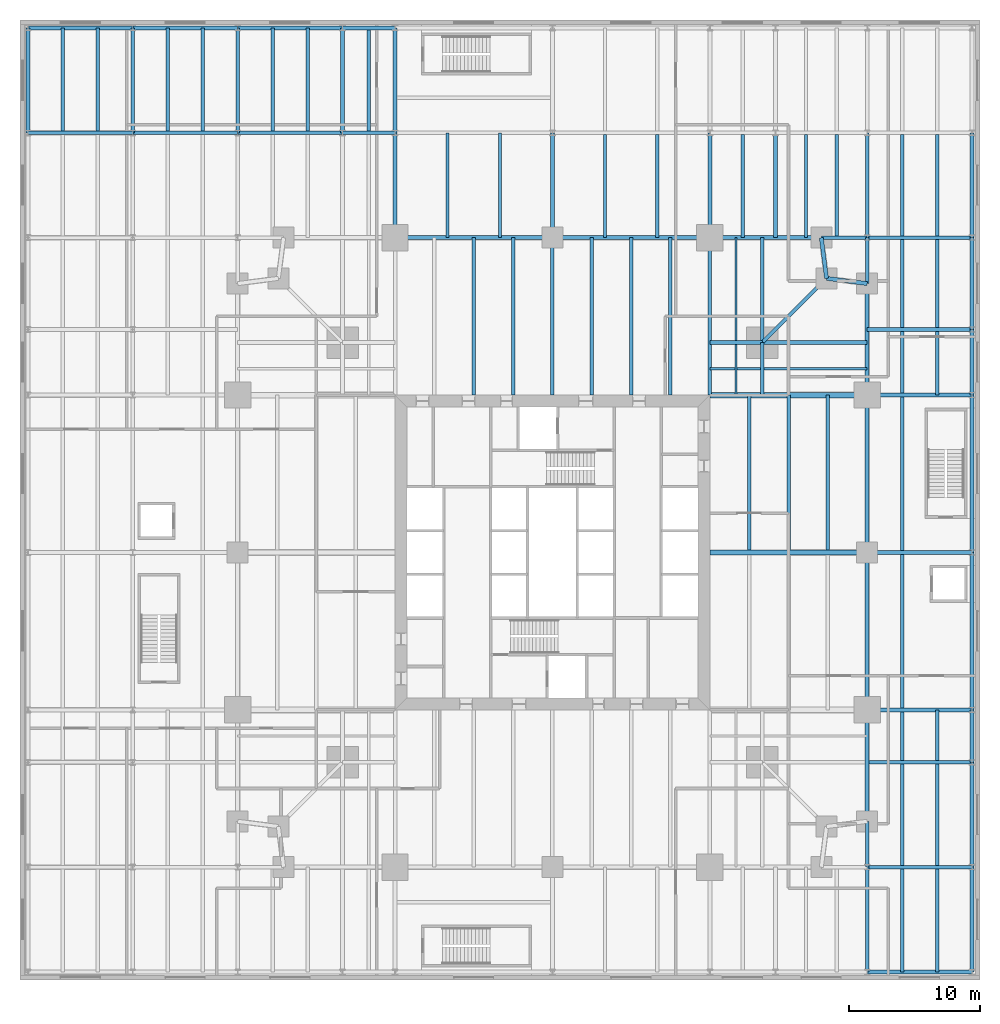
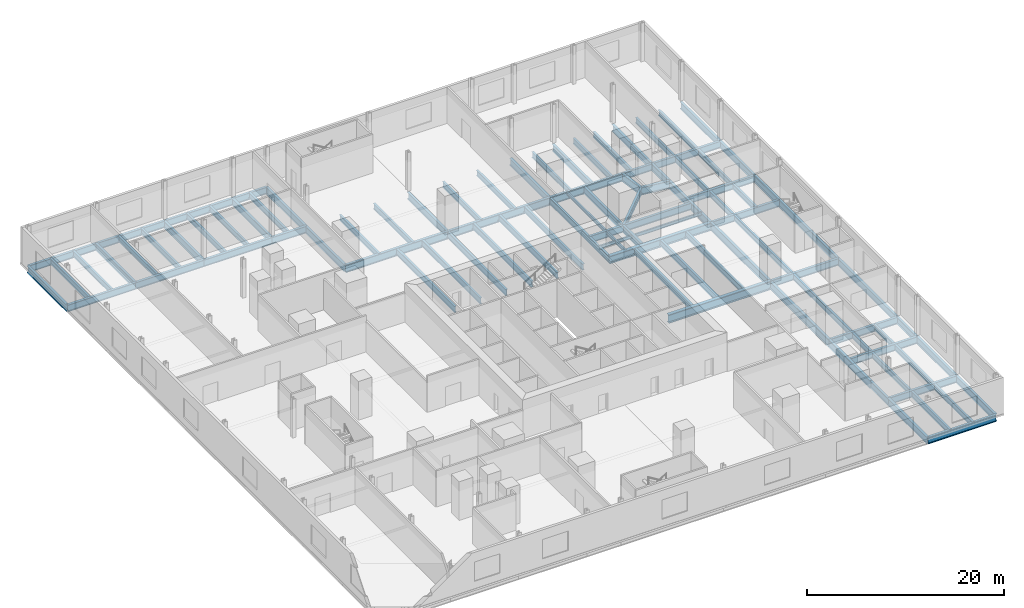
# One storey, part 7 of 16: 97 beams.
"""IFC4 building model written with IfcOpenShell, lengths in metres."""

from ifc_helpers import new_model, si_unit, direction, frame, origin, origin_2d, place, context, subcontext, project, spatial, i_section, extrude, material, material_profile, profile_set, type_object, element, save


model = new_model("IFC4")

# Units and contexts
model_context = context("Model", 3, precision=1e-05, world=origin(), true_north=direction((0.0, 1.0)))
body_context = subcontext(model_context, "Body", "Model", "MODEL_VIEW")
ifc_project = project(units=[si_unit("LENGTHUNIT", "METRE"), si_unit("AREAUNIT", "SQUARE_METRE"), si_unit("VOLUMEUNIT", "CUBIC_METRE"), si_unit("PLANEANGLEUNIT", "RADIAN"), si_unit("MASSUNIT", "GRAM", prefix="KILO")], contexts=[model_context])

# Site, building, storey
site_placement = place(None, origin())
site = spatial("IfcSite", under=ifc_project, at=site_placement, CompositionType="ELEMENT")
building_placement = place(site_placement, origin())
building = spatial("IfcBuilding", under=site, at=building_placement, Name="Fenwick Lantern Interchange", CompositionType="ELEMENT")
storey_placement = place(building_placement, frame((0.0, 0.0, 16.60009765625)))
storey = spatial("IfcBuildingStorey", under=building, at=storey_placement, Name="L03", CompositionType="ELEMENT", Elevation=16.60009765625)

# Beams
ifc_material = material(Name="Steel ASTM A992 Grade 50", Category="steel")
ifc_material_profile_1 = material_profile(ifc_material, i_section(OverallWidth=0.309814453125, OverallDepth=0.949951171875, WebThickness=0.0244140625, FlangeThickness=0.0439453125, at=origin_2d()), Name="W36X256")
ifc_profile_set_1 = profile_set([ifc_material_profile_1], Name="Steel ASTM A992 Grade 50")
beam_type_1 = type_object("IfcBeamType", Name="EDGE BEAM W36X256", PredefinedType="SPANDREL", material=ifc_profile_set_1)
beam_1_placement = place(storey_placement, frame((49.0, 4.5, -0.675048828125), z_axis=(0.0, 1.0, 0.0), x_axis=(-1.0, 0.0, 0.0)))
element("IfcBeam", 1, at=beam_1_placement, inside=storey, type_object=beam_type_1, Name="L03/FR/E/EB1", PredefinedType="SPANDREL", context=body_context, shape_type="SweptSolid", body=[
    extrude(i_section(OverallWidth=0.309814453125, OverallDepth=0.949951171875, WebThickness=0.0244140625, FlangeThickness=0.0439453125, at=origin_2d()), origin(), (0.0, 0.0, 1.0), 8.5),
])
for number, where, z_axis, x_axis, name in (
    (2, (49.0, 13.0, -0.675048828125), (0.0, 1.0, 0.0), (-1.0, 0.0, 0.0), "L03/FR/E/EB2"),
    (3, (49.0, 25.0, -0.675048828125), (0.0, 1.0, 0.0), (-1.0, 0.0, 0.0), "L03/FR/E/EB3"),
):
    element("IfcBeam", number, at=place(storey_placement, frame(where, z_axis=z_axis, x_axis=x_axis)), inside=storey, type_object=beam_type_1, Name=name, PredefinedType="SPANDREL", context=body_context, shape_type="SweptSolid", body=[
        extrude(i_section(OverallWidth=0.309814453125, OverallDepth=0.949951171875, WebThickness=0.0244140625, FlangeThickness=0.0439453125, at=origin_2d()), origin(), (0.0, 0.0, 1.0), 12.0),
    ])
beam_2_placement = place(storey_placement, frame((49.0, 37.0, -0.675048828125), z_axis=(0.0, 1.0, 0.0), x_axis=(-1.0, 0.0, 0.0)))
element("IfcBeam", 4, at=beam_2_placement, inside=storey, type_object=beam_type_1, Name="L03/FR/E/EB4", PredefinedType="SPANDREL", context=body_context, shape_type="SweptSolid", body=[
    extrude(i_section(OverallWidth=0.309814453125, OverallDepth=0.949951171875, WebThickness=0.0244140625, FlangeThickness=0.0439453125, at=origin_2d()), origin(), (0.0, 0.0, 1.0), 8.5),
])
for number, where, z_axis, x_axis, name in (
    (5, (49.0, 45.5, -0.675048828125), (-0.991782342897, 0.127936641807, 0.0), (-0.127936641807, -0.991782342897, 0.0), "L03/FR/E/EBR1"),
    (6, (45.89990234375, 45.89990234375, -0.675048828125), (-0.127936641807, 0.991782342897, 0.0), (-0.991782342897, -0.127936641807, 0.0), "L03/FR/E/EBR2"),
):
    element("IfcBeam", number, at=place(storey_placement, frame(where, z_axis=z_axis, x_axis=x_axis)), inside=storey, type_object=beam_type_1, Name=name, PredefinedType="SPANDREL", context=body_context, shape_type="SweptSolid", body=[
        extrude(i_section(OverallWidth=0.309814453125, OverallDepth=0.949951171875, WebThickness=0.0244140625, FlangeThickness=0.0439453125, at=origin_2d()), origin(), (0.0, 0.0, 1.0), 3.125732421875),
    ])
beam_3_placement = place(storey_placement, frame((45.5, 49.0, -0.675048828125), z_axis=(-1.0, 0.0, 0.0), x_axis=(0.0, -1.0, 0.0)))
element("IfcBeam", 7, at=beam_3_placement, inside=storey, type_object=beam_type_1, Name="L03/FR/N/EB1", PredefinedType="SPANDREL", context=body_context, shape_type="SweptSolid", body=[
    extrude(i_section(OverallWidth=0.309814453125, OverallDepth=0.949951171875, WebThickness=0.0244140625, FlangeThickness=0.0439453125, at=origin_2d()), origin(), (0.0, 0.0, 1.0), 8.5),
])
for number, where, z_axis, x_axis, name in (
    (8, (37.0, 49.0, -0.675048828125), (-1.0, 0.0, 0.0), (0.0, -1.0, 0.0), "L03/FR/N/EB2"),
    (9, (25.0, 49.0, -0.675048828125), (-1.0, 0.0, 0.0), (0.0, -1.0, 0.0), "L03/FR/N/EB3"),
):
    element("IfcBeam", number, at=place(storey_placement, frame(where, z_axis=z_axis, x_axis=x_axis)), inside=storey, type_object=beam_type_1, Name=name, PredefinedType="SPANDREL", context=body_context, shape_type="SweptSolid", body=[
        extrude(i_section(OverallWidth=0.309814453125, OverallDepth=0.949951171875, WebThickness=0.0244140625, FlangeThickness=0.0439453125, at=origin_2d()), origin(), (0.0, 0.0, 1.0), 12.0),
    ])
ifc_material_profile_2 = material_profile(ifc_material, i_section(OverallWidth=0.2666015625, OverallDepth=0.7568359375, WebThickness=0.013916015625, FlangeThickness=0.019287109375, at=origin_2d()), Name="W30X108")
ifc_profile_set_2 = profile_set([ifc_material_profile_2], Name="Steel ASTM A992 Grade 50")
beam_type_2 = type_object("IfcBeamType", Name="FLOOR BEAM W30X108", PredefinedType="BEAM", material=ifc_profile_set_2)
for number, where, z_axis, x_axis, name in (
    (10, (46.0, 25.20458984375, -0.57861328125), (0.0, 1.0, 0.0), (-1.0, 0.0, 0.0), "L03/FR/E/B04"),
    (11, (43.0, 25.20458984375, -0.57861328125), (0.0, 1.0, 0.0), (-1.0, 0.0, 0.0), "L03/FR/E/B05"),
    (12, (40.0, 25.20458984375, -0.57861328125), (0.0, 1.0, 0.0), (-1.0, 0.0, 0.0), "L03/FR/E/B06"),
):
    element("IfcBeam", number, at=place(storey_placement, frame(where, z_axis=z_axis, x_axis=x_axis)), inside=storey, type_object=beam_type_2, Name=name, PredefinedType="BEAM", context=body_context, shape_type="SweptSolid", body=[
        extrude(i_section(OverallWidth=0.2666015625, OverallDepth=0.7568359375, WebThickness=0.013916015625, FlangeThickness=0.019287109375, at=origin_2d()), origin(), (0.0, 0.0, 1.0), 11.79541015625),
    ])
for number, where, z_axis, x_axis, name in (
    (13, (34.0, 49.0, -0.57861328125), (0.0, -1.0, 0.0), (1.0, 0.0, 0.0), "L03/FR/N/R02"),
    (14, (31.0, 49.0, -0.57861328125), (0.0, -1.0, 0.0), (1.0, 0.0, 0.0), "L03/FR/N/R03"),
    (15, (28.0, 49.0, -0.57861328125), (0.0, -1.0, 0.0), (1.0, 0.0, 0.0), "L03/FR/N/R04"),
    (16, (22.0, 49.0, -0.57861328125), (0.0, -1.0, 0.0), (1.0, 0.0, 0.0), "L03/FR/N/R06"),
    (17, (19.0, 49.0, -0.57861328125), (0.0, -1.0, 0.0), (1.0, 0.0, 0.0), "L03/FR/N/R07"),
):
    element("IfcBeam", number, at=place(storey_placement, frame(where, z_axis=z_axis, x_axis=x_axis)), inside=storey, type_object=beam_type_2, Name=name, PredefinedType="BEAM", context=body_context, shape_type="SweptSolid", body=[
        extrude(i_section(OverallWidth=0.2666015625, OverallDepth=0.7568359375, WebThickness=0.013916015625, FlangeThickness=0.019287109375, at=origin_2d()), origin(), (0.0, 0.0, 1.0), 12.0),
    ])
ifc_material_profile_3 = material_profile(ifc_material, i_section(OverallWidth=0.177734375, OverallDepth=0.406494140625, WebThickness=0.0078125, FlangeThickness=0.012939453125, at=origin_2d()), Name="W16X40")
ifc_profile_set_3 = profile_set([ifc_material_profile_3], Name="Steel ASTM A992 Grade 50")
beam_type_3 = type_object("IfcBeamType", Name="INFILL BEAM W16X40", PredefinedType="JOIST", material=ifc_profile_set_3)
beam_4_placement = place(storey_placement, frame((39.0, 49.0, -0.4033203125), z_axis=(0.0, -1.0, 0.0), x_axis=(1.0, 0.0, 0.0)))
element("IfcBeam", 18, at=beam_4_placement, inside=storey, type_object=beam_type_3, Name="L03/FR/N/J1", PredefinedType="JOIST", context=body_context, shape_type="SweptSolid", body=[
    extrude(i_section(OverallWidth=0.177734375, OverallDepth=0.406494140625, WebThickness=0.0078125, FlangeThickness=0.012939453125, at=origin_2d()), origin(), (0.0, 0.0, 1.0), 7.85400390625),
])
beam_5_placement = place(storey_placement, frame((39.0, 40.85400390625, -0.4033203125), z_axis=(0.0, -1.0, 0.0), x_axis=(1.0, 0.0, 0.0)))
element("IfcBeam", 19, at=beam_5_placement, inside=storey, type_object=beam_type_3, Name="L03/FR/N/J2", PredefinedType="JOIST", context=body_context, shape_type="SweptSolid", body=[
    extrude(i_section(OverallWidth=0.177734375, OverallDepth=0.406494140625, WebThickness=0.0078125, FlangeThickness=0.012939453125, at=origin_2d()), origin(), (0.0, 0.0, 1.0), 3.85400390625),
])
beam_6_placement = place(storey_placement, frame((49.0, 39.0, -0.4033203125), z_axis=(-1.0, 0.0, 0.0), x_axis=(0.0, -1.0, 0.0)))
element("IfcBeam", 20, at=beam_6_placement, inside=storey, type_object=beam_type_3, Name="L03/FR/N/J3", PredefinedType="JOIST", context=body_context, shape_type="SweptSolid", body=[
    extrude(i_section(OverallWidth=0.177734375, OverallDepth=0.406494140625, WebThickness=0.0078125, FlangeThickness=0.012939453125, at=origin_2d()), origin(), (0.0, 0.0, 1.0), 7.85400390625),
])
beam_7_placement = place(storey_placement, frame((40.85400390625, 39.0, -0.4033203125), z_axis=(-1.0, 0.0, 0.0), x_axis=(0.0, -1.0, 0.0)))
element("IfcBeam", 21, at=beam_7_placement, inside=storey, type_object=beam_type_3, Name="L03/FR/N/J4", PredefinedType="JOIST", context=body_context, shape_type="SweptSolid", body=[
    extrude(i_section(OverallWidth=0.177734375, OverallDepth=0.406494140625, WebThickness=0.0078125, FlangeThickness=0.012939453125, at=origin_2d()), origin(), (0.0, 0.0, 1.0), 1.76513671875),
])
beam_8_placement = place(storey_placement, frame((38.9111328125, 39.0, -0.4033203125), z_axis=(-1.0, 0.0, 0.0), x_axis=(0.0, -1.0, 0.0)))
element("IfcBeam", 22, at=beam_8_placement, inside=storey, type_object=beam_type_3, Name="L03/FR/N/J5", PredefinedType="JOIST", context=body_context, shape_type="SweptSolid", body=[
    extrude(i_section(OverallWidth=0.177734375, OverallDepth=0.406494140625, WebThickness=0.0078125, FlangeThickness=0.012939453125, at=origin_2d()), origin(), (0.0, 0.0, 1.0), 1.9111328125),
])
ifc_material_profile_4 = material_profile(ifc_material, i_section(OverallWidth=0.2919921875, OverallDepth=0.845703125, WebThickness=0.015380859375, FlangeThickness=0.0244140625, at=origin_2d()), Name="W33X141")
ifc_profile_set_4 = profile_set([ifc_material_profile_4], Name="Steel ASTM A992 Grade 50")
beam_type_4 = type_object("IfcBeamType", Name="MEGA COLUMN BEAM W33X141", PredefinedType="BEAM", material=ifc_profile_set_4)
for number, where, z_axis, x_axis, name in (
    (23, (41.0, 41.0, -0.623046875), (0.0, 1.0, 0.0), (-1.0, 0.0, 0.0), "L03/FR/N/MB1"),
    (24, (41.0, 41.0, -0.623046875), (1.0, 0.0, 0.0), (0.0, 1.0, 0.0), "L03/FR/N/MB2"),
):
    element("IfcBeam", number, at=place(storey_placement, frame(where, z_axis=z_axis, x_axis=x_axis)), inside=storey, type_object=beam_type_4, Name=name, PredefinedType="BEAM", context=body_context, shape_type="SweptSolid", body=[
        extrude(i_section(OverallWidth=0.2919921875, OverallDepth=0.845703125, WebThickness=0.015380859375, FlangeThickness=0.0244140625, at=origin_2d()), origin(), (0.0, 0.0, 1.0), 8.0),
    ])
for number, where, z_axis, x_axis, name in (
    (25, (41.0, 41.0, -0.623046875), (-1.0, 0.0, 0.0), (0.0, -1.0, 0.0), "L03/FR/N/MB3"),
    (26, (41.0, 41.0, -0.623046875), (0.0, -1.0, 0.0), (1.0, 0.0, 0.0), "L03/FR/N/MB4"),
):
    element("IfcBeam", number, at=place(storey_placement, frame(where, z_axis=z_axis, x_axis=x_axis)), inside=storey, type_object=beam_type_4, Name=name, PredefinedType="BEAM", context=body_context, shape_type="SweptSolid", body=[
        extrude(i_section(OverallWidth=0.2919921875, OverallDepth=0.845703125, WebThickness=0.015380859375, FlangeThickness=0.0244140625, at=origin_2d()), origin(), (0.0, 0.0, 1.0), 4.0),
    ])
ifc_material_profile_5 = material_profile(ifc_material, i_section(OverallWidth=0.2666015625, OverallDepth=0.76953125, WebThickness=0.015625, FlangeThickness=0.025390625, at=origin_2d()), Name="W30X132")
ifc_profile_set_5 = profile_set([ifc_material_profile_5], Name="Steel ASTM A992 Grade 50")
beam_type_5 = type_object("IfcBeamType", Name="MOMENT-CONNECTED GIRDER W30X132", PredefinedType="BEAM", material=ifc_profile_set_5)
for number, where, z_axis, x_axis, name in (
    (27, (37.0, 49.0, -0.5849609375), (0.0, -1.0, 0.0), (1.0, 0.0, 0.0), "L03/FR/N/R01"),
    (28, (25.0, 49.0, -0.5849609375), (0.0, -1.0, 0.0), (1.0, 0.0, 0.0), "L03/FR/N/R05"),
):
    element("IfcBeam", number, at=place(storey_placement, frame(where, z_axis=z_axis, x_axis=x_axis)), inside=storey, type_object=beam_type_5, Name=name, PredefinedType="BEAM", context=body_context, shape_type="SweptSolid", body=[
        extrude(i_section(OverallWidth=0.2666015625, OverallDepth=0.76953125, WebThickness=0.015625, FlangeThickness=0.025390625, at=origin_2d()), origin(), (0.0, 0.0, 1.0), 12.0),
    ])
ifc_material_profile_6 = material_profile(ifc_material, i_section(OverallWidth=0.424072265625, OverallDepth=0.947509765625, WebThickness=0.02392578125, FlangeThickness=0.042724609375, at=origin_2d()), Name="W36X302")
ifc_profile_set_6 = profile_set([ifc_material_profile_6], Name="Steel ASTM A992 Grade 50")
beam_type_6 = type_object("IfcBeamType", Name="MOMENT-CONNECTED GIRDER W36X302", PredefinedType="BEAM", material=ifc_profile_set_6)
beam_9_placement = place(storey_placement, frame((49.0, 37.0, -0.673828125), z_axis=(-1.0, 0.0, 0.0), x_axis=(0.0, -1.0, 0.0)))
element("IfcBeam", 29, at=beam_9_placement, inside=storey, type_object=beam_type_6, Name="L03/FR/E/R03", PredefinedType="BEAM", context=body_context, shape_type="SweptSolid", body=[
    extrude(i_section(OverallWidth=0.424072265625, OverallDepth=0.947509765625, WebThickness=0.02392578125, FlangeThickness=0.042724609375, at=origin_2d()), origin(), (0.0, 0.0, 1.0), 12.0),
])
ifc_material_profile_7 = material_profile(ifc_material, i_section(OverallWidth=0.408935546875, OverallDepth=1.04150390625, WebThickness=0.031005859375, FlangeThickness=0.055908203125, at=origin_2d()), Name="W40X397")
ifc_profile_set_7 = profile_set([ifc_material_profile_7], Name="Steel ASTM A992 Grade 50")
beam_type_7 = type_object("IfcBeamType", Name="MOMENT-CONNECTED GIRDER W40X397", PredefinedType="BEAM", material=ifc_profile_set_7)
beam_10_placement = place(storey_placement, frame((49.0, 25.0, -0.720703125), z_axis=(-1.0, 0.0, 0.0), x_axis=(0.0, -1.0, 0.0)))
element("IfcBeam", 30, at=beam_10_placement, inside=storey, type_object=beam_type_7, Name="L03/FR/E/R02", PredefinedType="BEAM", context=body_context, shape_type="SweptSolid", body=[
    extrude(i_section(OverallWidth=0.408935546875, OverallDepth=1.04150390625, WebThickness=0.031005859375, FlangeThickness=0.055908203125, at=origin_2d()), origin(), (0.0, 0.0, 1.0), 12.0),
])
ifc_material_profile_8 = material_profile(ifc_material, i_section(OverallWidth=0.2919921875, OverallDepth=0.845703125, WebThickness=0.015380859375, FlangeThickness=0.0244140625, at=origin_2d()), Name="W33X141")
ifc_profile_set_8 = profile_set([ifc_material_profile_8], Name="Steel ASTM A992 Grade 50")
beam_type_8 = type_object("IfcBeamType", Name="MOMENT-CONNECTED PODIUM GIRDER W33X141", PredefinedType="BEAM", material=ifc_profile_set_8)
for number, where, z_axis, x_axis, name in (
    (31, (49.0, -7.0, -0.623046875), (1.0, 0.0, 0.0), (0.0, 1.0, 0.0), "L03/PF/G009"),
    (32, (49.0, 1.0, -0.623046875), (1.0, 0.0, 0.0), (0.0, 1.0, 0.0), "L03/PF/G014"),
):
    element("IfcBeam", number, at=place(storey_placement, frame(where, z_axis=z_axis, x_axis=x_axis)), inside=storey, type_object=beam_type_8, Name=name, PredefinedType="BEAM", context=body_context, shape_type="SweptSolid", body=[
        extrude(i_section(OverallWidth=0.2919921875, OverallDepth=0.845703125, WebThickness=0.015380859375, FlangeThickness=0.0244140625, at=origin_2d()), origin(), (0.0, 0.0, 1.0), 8.0),
    ])
beam_11_placement = place(storey_placement, frame((49.155029296875, 9.0, -0.623046875), z_axis=(1.0, 0.0, 0.0), x_axis=(0.0, 1.0, 0.0)))
element("IfcBeam", 33, at=beam_11_placement, inside=storey, type_object=beam_type_8, Name="L03/PF/G017", PredefinedType="BEAM", context=body_context, shape_type="SweptSolid", body=[
    extrude(i_section(OverallWidth=0.2919921875, OverallDepth=0.845703125, WebThickness=0.015380859375, FlangeThickness=0.0244140625, at=origin_2d()), origin(), (0.0, 0.0, 1.0), 7.844970703125),
])
for number, where, z_axis, x_axis, name in (
    (34, (49.0, 13.0, -0.623046875), (1.0, 0.0, 0.0), (0.0, 1.0, 0.0), "L03/PF/G020"),
    (35, (49.0, 25.0, -0.623046875), (1.0, 0.0, 0.0), (0.0, 1.0, 0.0), "L03/PF/G023"),
    (36, (49.0, 37.0, -0.623046875), (1.0, 0.0, 0.0), (0.0, 1.0, 0.0), "L03/PF/G026"),
    (37, (49.0, 42.0, -0.623046875), (1.0, 0.0, 0.0), (0.0, 1.0, 0.0), "L03/PF/G029"),
):
    element("IfcBeam", number, at=place(storey_placement, frame(where, z_axis=z_axis, x_axis=x_axis)), inside=storey, type_object=beam_type_8, Name=name, PredefinedType="BEAM", context=body_context, shape_type="SweptSolid", body=[
        extrude(i_section(OverallWidth=0.2919921875, OverallDepth=0.845703125, WebThickness=0.015380859375, FlangeThickness=0.0244140625, at=origin_2d()), origin(), (0.0, 0.0, 1.0), 8.0),
    ])
beam_12_placement = place(storey_placement, frame((45.5, 49.0, -0.623046875), z_axis=(1.0, 0.0, 0.0), x_axis=(0.0, 1.0, 0.0)))
element("IfcBeam", 38, at=beam_12_placement, inside=storey, type_object=beam_type_8, Name="L03/PF/G033", PredefinedType="BEAM", context=body_context, shape_type="SweptSolid", body=[
    extrude(i_section(OverallWidth=0.2919921875, OverallDepth=0.845703125, WebThickness=0.015380859375, FlangeThickness=0.0244140625, at=origin_2d()), origin(), (0.0, 0.0, 1.0), 3.5),
])
for number, where, z_axis, x_axis, name in (
    (39, (49.0, 49.0, -0.623046875), (1.0, 0.0, 0.0), (0.0, 1.0, 0.0), "L03/PF/G034"),
    (40, (-15.0, 57.0, -0.623046875), (1.0, 0.0, 0.0), (0.0, 1.0, 0.0), "L03/PF/G035"),
    (41, (-7.0, 57.0, -0.623046875), (1.0, 0.0, 0.0), (0.0, 1.0, 0.0), "L03/PF/G036"),
    (42, (1.0, 57.0, -0.623046875), (1.0, 0.0, 0.0), (0.0, 1.0, 0.0), "L03/PF/G037"),
):
    element("IfcBeam", number, at=place(storey_placement, frame(where, z_axis=z_axis, x_axis=x_axis)), inside=storey, type_object=beam_type_8, Name=name, PredefinedType="BEAM", context=body_context, shape_type="SweptSolid", body=[
        extrude(i_section(OverallWidth=0.2919921875, OverallDepth=0.845703125, WebThickness=0.015380859375, FlangeThickness=0.0244140625, at=origin_2d()), origin(), (0.0, 0.0, 1.0), 8.0),
    ])
beam_13_placement = place(storey_placement, frame((9.0, 57.0, -0.623046875), z_axis=(1.0, 0.0, 0.0), x_axis=(0.0, 1.0, 0.0)))
element("IfcBeam", 43, at=beam_13_placement, inside=storey, type_object=beam_type_8, Name="L03/PF/G038", PredefinedType="BEAM", context=body_context, shape_type="SweptSolid", body=[
    extrude(i_section(OverallWidth=0.2919921875, OverallDepth=0.845703125, WebThickness=0.015380859375, FlangeThickness=0.0244140625, at=origin_2d()), origin(), (0.0, 0.0, 1.0), 4.0),
])
for number, where, z_axis, x_axis, name in (
    (44, (-15.0, 65.0, -0.623046875), (1.0, 0.0, 0.0), (0.0, 1.0, 0.0), "L03/PF/G044"),
    (45, (-7.0, 65.0, -0.623046875), (1.0, 0.0, 0.0), (0.0, 1.0, 0.0), "L03/PF/G045"),
    (46, (1.0, 65.0, -0.623046875), (1.0, 0.0, 0.0), (0.0, 1.0, 0.0), "L03/PF/G046"),
):
    element("IfcBeam", number, at=place(storey_placement, frame(where, z_axis=z_axis, x_axis=x_axis)), inside=storey, type_object=beam_type_8, Name=name, PredefinedType="BEAM", context=body_context, shape_type="SweptSolid", body=[
        extrude(i_section(OverallWidth=0.2919921875, OverallDepth=0.845703125, WebThickness=0.015380859375, FlangeThickness=0.0244140625, at=origin_2d()), origin(), (0.0, 0.0, 1.0), 8.0),
    ])
beam_14_placement = place(storey_placement, frame((9.0, 65.0, -0.623046875), z_axis=(1.0, 0.0, 0.0), x_axis=(0.0, 1.0, 0.0)))
element("IfcBeam", 47, at=beam_14_placement, inside=storey, type_object=beam_type_8, Name="L03/PF/G047", PredefinedType="BEAM", context=body_context, shape_type="SweptSolid", body=[
    extrude(i_section(OverallWidth=0.2919921875, OverallDepth=0.845703125, WebThickness=0.015380859375, FlangeThickness=0.0244140625, at=origin_2d()), origin(), (0.0, 0.0, 1.0), 4.0),
])
for number, where, z_axis, x_axis, name in (
    (48, (-15.0, 57.0, -0.623046875), (0.0, 1.0, 0.0), (-1.0, 0.0, 0.0), "L03/PF/G061"),
    (49, (-7.0, 57.0, -0.623046875), (0.0, 1.0, 0.0), (-1.0, 0.0, 0.0), "L03/PF/G070"),
    (50, (1.0, 57.0, -0.623046875), (0.0, 1.0, 0.0), (-1.0, 0.0, 0.0), "L03/PF/G075"),
    (51, (9.0, 57.0, -0.623046875), (0.0, 1.0, 0.0), (-1.0, 0.0, 0.0), "L03/PF/G078"),
    (52, (13.0, 49.0, -0.623046875), (0.0, 1.0, 0.0), (-1.0, 0.0, 0.0), "L03/PF/G080"),
    (53, (13.0, 57.0, -0.623046875), (0.0, 1.0, 0.0), (-1.0, 0.0, 0.0), "L03/PF/G081"),
    (54, (25.0, 49.0, -0.623046875), (0.0, 1.0, 0.0), (-1.0, 0.0, 0.0), "L03/PF/G083"),
    (55, (37.0, 49.0, -0.623046875), (0.0, 1.0, 0.0), (-1.0, 0.0, 0.0), "L03/PF/G086"),
    (56, (42.0, 49.0, -0.623046875), (0.0, 1.0, 0.0), (-1.0, 0.0, 0.0), "L03/PF/G089"),
    (57, (49.0, -7.0, -0.623046875), (0.0, 1.0, 0.0), (-1.0, 0.0, 0.0), "L03/PF/G091"),
):
    element("IfcBeam", number, at=place(storey_placement, frame(where, z_axis=z_axis, x_axis=x_axis)), inside=storey, type_object=beam_type_8, Name=name, PredefinedType="BEAM", context=body_context, shape_type="SweptSolid", body=[
        extrude(i_section(OverallWidth=0.2919921875, OverallDepth=0.845703125, WebThickness=0.015380859375, FlangeThickness=0.0244140625, at=origin_2d()), origin(), (0.0, 0.0, 1.0), 8.0),
    ])
for number, where, z_axis, x_axis, name in (
    (58, (49.0, 1.0, -0.623046875), (0.0, 1.0, 0.0), (-1.0, 0.0, 0.0), "L03/PF/G092"),
    (59, (49.0, 45.5, -0.623046875), (0.0, 1.0, 0.0), (-1.0, 0.0, 0.0), "L03/PF/G093"),
):
    element("IfcBeam", number, at=place(storey_placement, frame(where, z_axis=z_axis, x_axis=x_axis)), inside=storey, type_object=beam_type_8, Name=name, PredefinedType="BEAM", context=body_context, shape_type="SweptSolid", body=[
        extrude(i_section(OverallWidth=0.2919921875, OverallDepth=0.845703125, WebThickness=0.015380859375, FlangeThickness=0.0244140625, at=origin_2d()), origin(), (0.0, 0.0, 1.0), 3.5),
    ])
for number, where, z_axis, x_axis, name in (
    (60, (49.0, 49.0, -0.623046875), (0.0, 1.0, 0.0), (-1.0, 0.0, 0.0), "L03/PF/G094"),
    (61, (57.0, -7.0, -0.623046875), (0.0, 1.0, 0.0), (-1.0, 0.0, 0.0), "L03/PF/G096"),
    (62, (57.0, 1.0, -0.623046875), (0.0, 1.0, 0.0), (-1.0, 0.0, 0.0), "L03/PF/G097"),
):
    element("IfcBeam", number, at=place(storey_placement, frame(where, z_axis=z_axis, x_axis=x_axis)), inside=storey, type_object=beam_type_8, Name=name, PredefinedType="BEAM", context=body_context, shape_type="SweptSolid", body=[
        extrude(i_section(OverallWidth=0.2919921875, OverallDepth=0.845703125, WebThickness=0.015380859375, FlangeThickness=0.0244140625, at=origin_2d()), origin(), (0.0, 0.0, 1.0), 8.0),
    ])
beam_15_placement = place(storey_placement, frame((57.0, 9.0, -0.623046875), z_axis=(0.0, 1.0, 0.0), x_axis=(-1.0, 0.0, 0.0)))
element("IfcBeam", 63, at=beam_15_placement, inside=storey, type_object=beam_type_8, Name="L03/PF/G098", PredefinedType="BEAM", context=body_context, shape_type="SweptSolid", body=[
    extrude(i_section(OverallWidth=0.2919921875, OverallDepth=0.845703125, WebThickness=0.015380859375, FlangeThickness=0.0244140625, at=origin_2d()), origin(), (0.0, 0.0, 1.0), 4.0),
])
for number, where, z_axis, x_axis, name in (
    (64, (57.0, 13.0, -0.623046875), (0.0, 1.0, 0.0), (-1.0, 0.0, 0.0), "L03/PF/G099"),
    (65, (57.0, 25.0, -0.623046875), (0.0, 1.0, 0.0), (-1.0, 0.0, 0.0), "L03/PF/G100"),
):
    element("IfcBeam", number, at=place(storey_placement, frame(where, z_axis=z_axis, x_axis=x_axis)), inside=storey, type_object=beam_type_8, Name=name, PredefinedType="BEAM", context=body_context, shape_type="SweptSolid", body=[
        extrude(i_section(OverallWidth=0.2919921875, OverallDepth=0.845703125, WebThickness=0.015380859375, FlangeThickness=0.0244140625, at=origin_2d()), origin(), (0.0, 0.0, 1.0), 12.0),
    ])
beam_16_placement = place(storey_placement, frame((57.0, 37.0, -0.623046875), z_axis=(0.0, 1.0, 0.0), x_axis=(-1.0, 0.0, 0.0)))
element("IfcBeam", 66, at=beam_16_placement, inside=storey, type_object=beam_type_8, Name="L03/PF/G101", PredefinedType="BEAM", context=body_context, shape_type="SweptSolid", body=[
    extrude(i_section(OverallWidth=0.2919921875, OverallDepth=0.845703125, WebThickness=0.015380859375, FlangeThickness=0.0244140625, at=origin_2d()), origin(), (0.0, 0.0, 1.0), 5.0),
])
beam_17_placement = place(storey_placement, frame((57.0, 42.0, -0.623046875), z_axis=(0.0, 1.0, 0.0), x_axis=(-1.0, 0.0, 0.0)))
element("IfcBeam", 67, at=beam_17_placement, inside=storey, type_object=beam_type_8, Name="L03/PF/G102", PredefinedType="BEAM", context=body_context, shape_type="SweptSolid", body=[
    extrude(i_section(OverallWidth=0.2919921875, OverallDepth=0.845703125, WebThickness=0.015380859375, FlangeThickness=0.0244140625, at=origin_2d()), origin(), (0.0, 0.0, 1.0), 7.0),
])
beam_18_placement = place(storey_placement, frame((57.0, 49.0, -0.623046875), z_axis=(0.0, 1.0, 0.0), x_axis=(-1.0, 0.0, 0.0)))
element("IfcBeam", 68, at=beam_18_placement, inside=storey, type_object=beam_type_8, Name="L03/PF/G103", PredefinedType="BEAM", context=body_context, shape_type="SweptSolid", body=[
    extrude(i_section(OverallWidth=0.2919921875, OverallDepth=0.845703125, WebThickness=0.015380859375, FlangeThickness=0.0244140625, at=origin_2d()), origin(), (0.0, 0.0, 1.0), 8.0),
])
ifc_material_profile_9 = material_profile(ifc_material, i_section(OverallWidth=0.2666015625, OverallDepth=0.7568359375, WebThickness=0.013916015625, FlangeThickness=0.019287109375, at=origin_2d()), Name="W30X108")
ifc_profile_set_9 = profile_set([ifc_material_profile_9], Name="Steel ASTM A992 Grade 50")
beam_type_9 = type_object("IfcBeamType", Name="NOTCH BEAM W30X108", PredefinedType="BEAM", material=ifc_profile_set_9)
beam_19_placement = place(storey_placement, frame((41.0, 41.0, -0.57861328125), z_axis=(0.707106781187, 0.707106781187, 0.0), x_axis=(-0.707106781187, 0.707106781187, 0.0)))
element("IfcBeam", 69, at=beam_19_placement, inside=storey, type_object=beam_type_9, Name="L03/FR/N/TG", PredefinedType="BEAM", context=body_context, shape_type="SweptSolid", body=[
    extrude(i_section(OverallWidth=0.2666015625, OverallDepth=0.7568359375, WebThickness=0.013916015625, FlangeThickness=0.019287109375, at=origin_2d()), origin(), (0.0, 0.0, 1.0), 6.929443359375),
])
ifc_material_profile_10 = material_profile(ifc_material, i_section(OverallWidth=0.25390625, OverallDepth=0.683349609375, WebThickness=0.012451171875, FlangeThickness=0.01904296875, at=origin_2d()), Name="W27X94")
ifc_profile_set_10 = profile_set([ifc_material_profile_10], Name="Steel ASTM A992 Grade 50")
beam_type_10 = type_object("IfcBeamType", Name="PODIUM BEAM W27X94", PredefinedType="JOIST", material=ifc_profile_set_10)
for number, where, z_axis, x_axis, name in (
    (70, (-12.333251953125, 57.14599609375, -0.541748046875), (0.0, 1.0, 0.0), (-1.0, 0.0, 0.0), "L03/PF/J121"),
    (71, (-9.666748046875, 57.14599609375, -0.541748046875), (0.0, 1.0, 0.0), (-1.0, 0.0, 0.0), "L03/PF/J122"),
    (72, (-4.333251953125, 57.14599609375, -0.541748046875), (0.0, 1.0, 0.0), (-1.0, 0.0, 0.0), "L03/PF/J137"),
    (73, (-1.666748046875, 57.14599609375, -0.541748046875), (0.0, 1.0, 0.0), (-1.0, 0.0, 0.0), "L03/PF/J138"),
    (74, (3.666748046875, 57.14599609375, -0.541748046875), (0.0, 1.0, 0.0), (-1.0, 0.0, 0.0), "L03/PF/J143"),
    (75, (6.333251953125, 57.14599609375, -0.541748046875), (0.0, 1.0, 0.0), (-1.0, 0.0, 0.0), "L03/PF/J144"),
    (76, (11.0, 57.14599609375, -0.541748046875), (0.0, 1.0, 0.0), (-1.0, 0.0, 0.0), "L03/PF/J147"),
):
    element("IfcBeam", number, at=place(storey_placement, frame(where, z_axis=z_axis, x_axis=x_axis)), inside=storey, type_object=beam_type_10, Name=name, PredefinedType="JOIST", context=body_context, shape_type="SweptSolid", body=[
        extrude(i_section(OverallWidth=0.25390625, OverallDepth=0.683349609375, WebThickness=0.012451171875, FlangeThickness=0.01904296875, at=origin_2d()), origin(), (0.0, 0.0, 1.0), 7.85400390625),
    ])
for number, where, z_axis, x_axis, name in (
    (77, (17.0, 49.0, -0.541748046875), (0.0, 1.0, 0.0), (-1.0, 0.0, 0.0), "L03/PF/J149"),
    (78, (21.0, 49.0, -0.541748046875), (0.0, 1.0, 0.0), (-1.0, 0.0, 0.0), "L03/PF/J150"),
):
    element("IfcBeam", number, at=place(storey_placement, frame(where, z_axis=z_axis, x_axis=x_axis)), inside=storey, type_object=beam_type_10, Name=name, PredefinedType="JOIST", context=body_context, shape_type="SweptSolid", body=[
        extrude(i_section(OverallWidth=0.25390625, OverallDepth=0.683349609375, WebThickness=0.012451171875, FlangeThickness=0.01904296875, at=origin_2d()), origin(), (0.0, 0.0, 1.0), 8.0),
    ])
for number, where, z_axis, x_axis, name in (
    (79, (29.0, 49.0, -0.541748046875), (0.0, 1.0, 0.0), (-1.0, 0.0, 0.0), "L03/PF/J154"),
    (80, (33.0, 49.0, -0.541748046875), (0.0, 1.0, 0.0), (-1.0, 0.0, 0.0), "L03/PF/J155"),
    (81, (39.5, 49.0, -0.541748046875), (0.0, 1.0, 0.0), (-1.0, 0.0, 0.0), "L03/PF/J159"),
    (82, (44.333251953125, 49.0, -0.541748046875), (0.0, 1.0, 0.0), (-1.0, 0.0, 0.0), "L03/PF/J163"),
    (83, (46.666748046875, 49.0, -0.541748046875), (0.0, 1.0, 0.0), (-1.0, 0.0, 0.0), "L03/PF/J164"),
    (84, (51.666748046875, -7.0, -0.541748046875), (0.0, 1.0, 0.0), (-1.0, 0.0, 0.0), "L03/PF/J167"),
    (85, (54.333251953125, -7.0, -0.541748046875), (0.0, 1.0, 0.0), (-1.0, 0.0, 0.0), "L03/PF/J168"),
):
    element("IfcBeam", number, at=place(storey_placement, frame(where, z_axis=z_axis, x_axis=x_axis)), inside=storey, type_object=beam_type_10, Name=name, PredefinedType="JOIST", context=body_context, shape_type="SweptSolid", body=[
        extrude(i_section(OverallWidth=0.25390625, OverallDepth=0.683349609375, WebThickness=0.012451171875, FlangeThickness=0.01904296875, at=origin_2d()), origin(), (0.0, 0.0, 1.0), 7.85400390625),
    ])
for number, where, z_axis, x_axis, name in (
    (86, (51.666748046875, 1.14599609375, -0.541748046875), (0.0, 1.0, 0.0), (-1.0, 0.0, 0.0), "L03/PF/J169"),
    (87, (54.333251953125, 1.14599609375, -0.541748046875), (0.0, 1.0, 0.0), (-1.0, 0.0, 0.0), "L03/PF/J170"),
):
    element("IfcBeam", number, at=place(storey_placement, frame(where, z_axis=z_axis, x_axis=x_axis)), inside=storey, type_object=beam_type_10, Name=name, PredefinedType="JOIST", context=body_context, shape_type="SweptSolid", body=[
        extrude(i_section(OverallWidth=0.25390625, OverallDepth=0.683349609375, WebThickness=0.012451171875, FlangeThickness=0.01904296875, at=origin_2d()), origin(), (0.0, 0.0, 1.0), 7.7080078125),
    ])
beam_20_placement = place(storey_placement, frame((51.666748046875, 9.14599609375, -0.541748046875), z_axis=(0.0, 1.0, 0.0), x_axis=(-1.0, 0.0, 0.0)))
element("IfcBeam", 88, at=beam_20_placement, inside=storey, type_object=beam_type_10, Name="L03/PF/J171", PredefinedType="JOIST", context=body_context, shape_type="SweptSolid", body=[
    extrude(i_section(OverallWidth=0.25390625, OverallDepth=0.683349609375, WebThickness=0.012451171875, FlangeThickness=0.01904296875, at=origin_2d()), origin(), (0.0, 0.0, 1.0), 3.7080078125),
])
beam_21_placement = place(storey_placement, frame((54.333251953125, 9.14599609375, -0.541748046875), z_axis=(0.0, 1.0, 0.0), x_axis=(-1.0, 0.0, 0.0)))
element("IfcBeam", 89, at=beam_21_placement, inside=storey, type_object=beam_type_10, Name="L03/PF/J172", PredefinedType="JOIST", context=body_context, shape_type="SweptSolid", body=[
    extrude(i_section(OverallWidth=0.25390625, OverallDepth=0.683349609375, WebThickness=0.012451171875, FlangeThickness=0.01904296875, at=origin_2d()), origin(), (0.0, 0.0, 1.0), 3.85400390625),
])
for number, where, z_axis, x_axis, name in (
    (90, (51.666748046875, 13.14599609375, -0.541748046875), (0.0, 1.0, 0.0), (-1.0, 0.0, 0.0), "L03/PF/J173"),
    (91, (51.666748046875, 25.14599609375, -0.541748046875), (0.0, 1.0, 0.0), (-1.0, 0.0, 0.0), "L03/PF/J174"),
):
    element("IfcBeam", number, at=place(storey_placement, frame(where, z_axis=z_axis, x_axis=x_axis)), inside=storey, type_object=beam_type_10, Name=name, PredefinedType="JOIST", context=body_context, shape_type="SweptSolid", body=[
        extrude(i_section(OverallWidth=0.25390625, OverallDepth=0.683349609375, WebThickness=0.012451171875, FlangeThickness=0.01904296875, at=origin_2d()), origin(), (0.0, 0.0, 1.0), 11.7080078125),
    ])
beam_22_placement = place(storey_placement, frame((51.666748046875, 37.14599609375, -0.541748046875), z_axis=(0.0, 1.0, 0.0), x_axis=(-1.0, 0.0, 0.0)))
element("IfcBeam", 92, at=beam_22_placement, inside=storey, type_object=beam_type_10, Name="L03/PF/J175", PredefinedType="JOIST", context=body_context, shape_type="SweptSolid", body=[
    extrude(i_section(OverallWidth=0.25390625, OverallDepth=0.683349609375, WebThickness=0.012451171875, FlangeThickness=0.01904296875, at=origin_2d()), origin(), (0.0, 0.0, 1.0), 4.7080078125),
])
beam_23_placement = place(storey_placement, frame((54.333251953125, 37.0, -0.541748046875), z_axis=(0.0, 1.0, 0.0), x_axis=(-1.0, 0.0, 0.0)))
element("IfcBeam", 93, at=beam_23_placement, inside=storey, type_object=beam_type_10, Name="L03/PF/J176", PredefinedType="JOIST", context=body_context, shape_type="SweptSolid", body=[
    extrude(i_section(OverallWidth=0.25390625, OverallDepth=0.683349609375, WebThickness=0.012451171875, FlangeThickness=0.01904296875, at=origin_2d()), origin(), (0.0, 0.0, 1.0), 4.85400390625),
])
for number, where, z_axis, x_axis, name in (
    (94, (51.666748046875, 42.14599609375, -0.541748046875), (0.0, 1.0, 0.0), (-1.0, 0.0, 0.0), "L03/PF/J177"),
    (95, (54.333251953125, 42.14599609375, -0.541748046875), (0.0, 1.0, 0.0), (-1.0, 0.0, 0.0), "L03/PF/J178"),
):
    element("IfcBeam", number, at=place(storey_placement, frame(where, z_axis=z_axis, x_axis=x_axis)), inside=storey, type_object=beam_type_10, Name=name, PredefinedType="JOIST", context=body_context, shape_type="SweptSolid", body=[
        extrude(i_section(OverallWidth=0.25390625, OverallDepth=0.683349609375, WebThickness=0.012451171875, FlangeThickness=0.01904296875, at=origin_2d()), origin(), (0.0, 0.0, 1.0), 6.7080078125),
    ])
for number, where, z_axis, x_axis, name in (
    (96, (51.666748046875, 49.14599609375, -0.541748046875), (0.0, 1.0, 0.0), (-1.0, 0.0, 0.0), "L03/PF/J179"),
    (97, (54.333251953125, 49.14599609375, -0.541748046875), (0.0, 1.0, 0.0), (-1.0, 0.0, 0.0), "L03/PF/J180"),
):
    element("IfcBeam", number, at=place(storey_placement, frame(where, z_axis=z_axis, x_axis=x_axis)), inside=storey, type_object=beam_type_10, Name=name, PredefinedType="JOIST", context=body_context, shape_type="SweptSolid", body=[
        extrude(i_section(OverallWidth=0.25390625, OverallDepth=0.683349609375, WebThickness=0.012451171875, FlangeThickness=0.01904296875, at=origin_2d()), origin(), (0.0, 0.0, 1.0), 7.7080078125),
    ])

save(model, "model.ifc")
